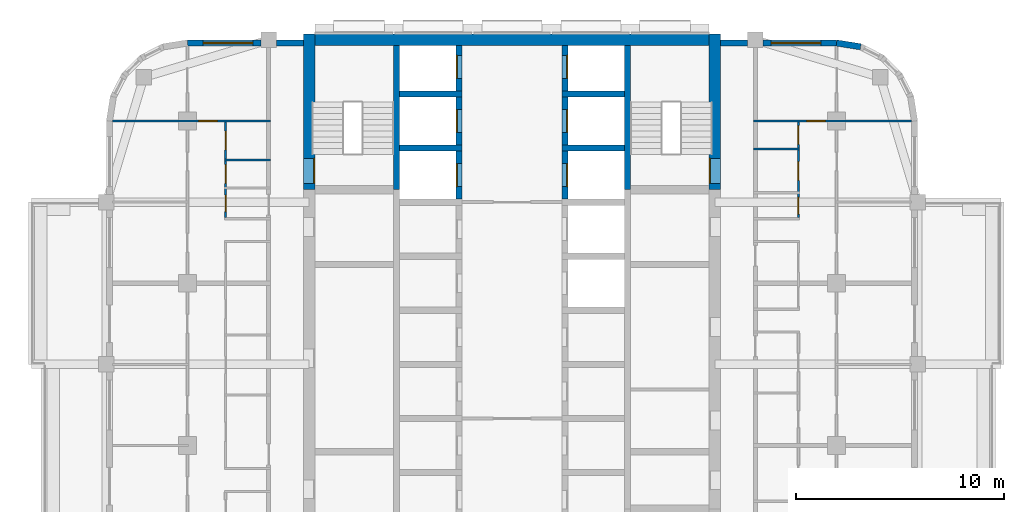
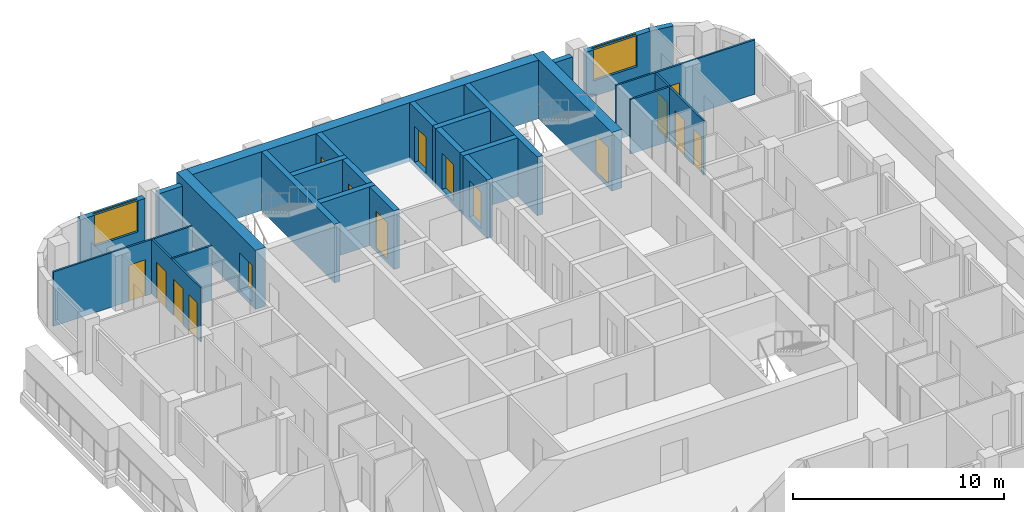
# One storey, part 8 of 13: 26 walls, 16 doors, 2 windows, 18 openings.
"""IFC4 building model written with IfcOpenShell, lengths in metres."""

import ifcopenshell
import ifcopenshell.guid

model = None  # the IFC model being written
_history = None  # IfcOwnerHistory: only IFC2X3 demands one
_inside = {}  # id of a spatial element -> (the spatial element, [elements in it])
_under = {}  # id of a project, library or spatial element -> (it, [spatial elements below it])
_declared = {}  # id of a project -> (the project, [libraries it declares])
_typed = {}  # id of a type object -> (the type object, [elements of that type])
_made_of = {}  # id of a material, layer set ... -> (it, [elements and type objects made of it])


def new_model(schema):
    """Start an empty IFC model of exactly this schema.

    Asked for "IFC4X3", IfcOpenShell would pick the latest addendum, in which some entities
    have other attributes; the version numbers below select the first issue.
    IFC2X3 requires an IfcOwnerHistory on every rooted entity: one is made here for all.
    """
    global model, _history
    if schema == "IFC4X3":
        model = ifcopenshell.file(schema_version=(4, 3, 0, 0))
    else:
        model = ifcopenshell.file(schema=schema)
    _inside.clear()
    _under.clear()
    _declared.clear()
    _typed.clear()
    _made_of.clear()
    _history = None
    if model.schema == "IFC2X3":
        org = make("IfcOrganization", Name="unknown")
        user = make(
            "IfcPersonAndOrganization",
            ThePerson=make("IfcPerson", FamilyName="unknown"),
            TheOrganization=org,
        )
        app = make(
            "IfcApplication",
            ApplicationDeveloper=org,
            Version="unknown",
            ApplicationFullName="unknown",
            ApplicationIdentifier="unknown",
        )
        _history = make(
            "IfcOwnerHistory",
            OwningUser=user,
            OwningApplication=app,
            ChangeAction="ADDED",
            CreationDate=0,
        )
    return model


def make(cls, **values):
    """One entity of the class cls with the attributes given. An attribute that is None is left unset."""
    return model.create_entity(
        cls, **{name: value for name, value in values.items() if value is not None}
    )


def rooted(cls, **values):
    """An entity with a GlobalId (a new one), such as an element, a storey or a relation."""
    return make(cls, GlobalId=ifcopenshell.guid.new(), OwnerHistory=_history, **values)


def si_unit(unit_type, name, prefix=None):
    """IfcSIUnit, for example si_unit("LENGTHUNIT", "METRE", prefix="MILLI")."""
    return make("IfcSIUnit", UnitType=unit_type, Prefix=prefix, Name=name)


def assignment(units):
    """IfcUnitAssignment: the units of a project."""
    return None if units is None else make("IfcUnitAssignment", Units=units)


def point(xyz):
    """IfcCartesianPoint."""
    return None if xyz is None else make("IfcCartesianPoint", Coordinates=xyz)


def direction(xyz):
    """IfcDirection."""
    return None if xyz is None else make("IfcDirection", DirectionRatios=xyz)


def frame(location, z_axis=None, x_axis=None):
    """IfcAxis2Placement3D, a coordinate frame: its origin and axes. An axis left out is left unset."""
    return make(
        "IfcAxis2Placement3D",
        Location=point(location),
        Axis=direction(z_axis),
        RefDirection=direction(x_axis),
    )


def frame_2d(location, x_axis=None):
    """IfcAxis2Placement2D, a coordinate frame in the plane: its origin and x axis."""
    return make(
        "IfcAxis2Placement2D", Location=point(location), RefDirection=direction(x_axis)
    )


def origin():
    """The frame at (0, 0, 0) with its axes left unset."""
    return frame((0.0, 0.0, 0.0))


def place(relative_to, where):
    """IfcLocalPlacement: puts the frame where relative to a parent placement (None: the world)."""
    return make(
        "IfcLocalPlacement", PlacementRelTo=relative_to, RelativePlacement=where
    )


def context(
    kind, dimensions, precision=None, world=None, true_north=None, identifier=None
):
    """IfcGeometricRepresentationContext, for example the 3D "Model" context."""
    return make(
        "IfcGeometricRepresentationContext",
        ContextIdentifier=identifier,
        ContextType=kind,
        CoordinateSpaceDimension=dimensions,
        Precision=precision,
        WorldCoordinateSystem=world,
        TrueNorth=true_north,
    )


def subcontext(parent, identifier, kind, view, scale=None):
    """IfcGeometricRepresentationSubContext, for example "Body" below "Model"."""
    return make(
        "IfcGeometricRepresentationSubContext",
        ContextIdentifier=identifier,
        ContextType=kind,
        ParentContext=parent,
        TargetScale=scale,
        TargetView=view,
    )


def project(units=None, contexts=None):
    """IfcProject with its units and contexts."""
    return rooted(
        "IfcProject",
        Name="project",
        RepresentationContexts=contexts,
        UnitsInContext=assignment(units),
    )


def spatial(cls, under=None, at=None, **own):
    """A site, building, storey or space (cls), placed at a placement, below another one or the project."""
    s = rooted(cls, ObjectPlacement=at, **own)
    if under is not None:
        _under.setdefault(under.id(), (under, []))[1].append(s)
    return s


def profile(cls, at=None, kind="AREA", **sizes):
    """A parametric profile (cls). Its sizes go by their IFC names, for example OverallWidth=200.0."""
    return make(cls, ProfileType=kind, Position=at, **sizes)


def rectangle(**sizes):
    """IfcRectangleProfileDef."""
    return profile("IfcRectangleProfileDef", **sizes)


def extrude(swept, where, along, depth):
    """IfcExtrudedAreaSolid: the profile swept, set in the frame where, extruded along a direction by depth."""
    return make(
        "IfcExtrudedAreaSolid",
        SweptArea=swept,
        Position=where,
        ExtrudedDirection=direction(along),
        Depth=depth,
    )


def shape(context_of_items, identifier, shape_type, items):
    """IfcShapeRepresentation: the items that make up one representation, for example the "Body"."""
    return make(
        "IfcShapeRepresentation",
        ContextOfItems=context_of_items,
        RepresentationIdentifier=identifier,
        RepresentationType=shape_type,
        Items=items,
    )


def material(Name=None, Category=None):
    """IfcMaterial."""
    return make("IfcMaterial", Name=Name, Category=Category)


def layer(
    of_material, thickness, ventilated=None, Name=None, Category=None, Priority=None
):
    """IfcMaterialLayer: one layer of a wall or slab, of a material (None: an air gap)."""
    return make(
        "IfcMaterialLayer",
        Material=of_material,
        LayerThickness=thickness,
        IsVentilated=ventilated,
        Name=Name,
        Category=Category,
        Priority=Priority,
    )


def layer_set(layers, Name=None):
    """IfcMaterialLayerSet."""
    return make("IfcMaterialLayerSet", MaterialLayers=layers, LayerSetName=Name)


def made_of(thing, what):
    """Note that an element or type object is made of a material, layer set ...; save() writes the relation."""
    if what is not None:
        _made_of.setdefault(what.id(), (what, []))[1].append(thing)
    return thing


def type_object(cls, material=None, **own):
    """A type object (cls), such as IfcWallType, which elements share."""
    return made_of(rooted(cls, **own), material)


def element(
    cls,
    number,
    at=None,
    inside=None,
    cuts=None,
    type_object=None,
    material=None,
    context=None,
    identifier="Body",
    shape_type=None,
    held_by="IfcProductDefinitionShape",
    body=None,
    shapes=None,
    **own,
):
    """One element of the class cls, such as IfcWall. Its Tag is "e" and its number.

    at: its placement. inside: the storey or other place that contains it. cuts: it is an
    opening in that element (IfcRelVoidsElement). A single representation is given by context,
    identifier, shape_type and body (its items); several are given by shapes. held_by: the class
    of the entity that holds the representations. save() writes the other relations.
    """
    e = rooted(cls, Tag="e%d" % number, ObjectPlacement=at, **own)
    if body is not None:
        shapes = [shape(context, identifier, shape_type, body)]
    if shapes is not None:
        e.Representation = make(held_by, Representations=shapes)
    if inside is not None:
        _inside.setdefault(inside.id(), (inside, []))[1].append(e)
    if cuts is not None:
        rooted(
            "IfcRelVoidsElement", RelatingBuildingElement=cuts, RelatedOpeningElement=e
        )
    if type_object is not None:
        _typed.setdefault(type_object.id(), (type_object, []))[1].append(e)
    return made_of(e, material)


def fill(opening, filler):
    """IfcRelFillsElement: the door or window that sits in an opening."""
    return rooted(
        "IfcRelFillsElement",
        RelatingOpeningElement=opening,
        RelatedBuildingElement=filler,
    )


def aggregate(whole, parts):
    """IfcRelAggregates: a whole, such as a stair, and the parts it consists of."""
    return rooted("IfcRelAggregates", RelatingObject=whole, RelatedObjects=parts)


def save(model, path):
    """Write the relations noted so far, then the file.

    IfcRelAggregates (storeys below a building ...), IfcRelContainedInSpatialStructure (elements
    in a storey), IfcRelDefinesByType, IfcRelAssociatesMaterial and IfcRelDeclares: one each for
    every whole, place, type object, material and project.
    """
    for whole, parts in _under.values():
        aggregate(whole, parts)
    for where, things in _inside.values():
        rooted(
            "IfcRelContainedInSpatialStructure",
            RelatedElements=things,
            RelatingStructure=where,
        )
    for kind, things in _typed.values():
        rooted("IfcRelDefinesByType", RelatedObjects=things, RelatingType=kind)
    for what, things in _made_of.values():
        rooted("IfcRelAssociatesMaterial", RelatedObjects=things, RelatingMaterial=what)
    for by, libraries in _declared.values():
        rooted("IfcRelDeclares", RelatingContext=by, RelatedDefinitions=libraries)
    model.write(path)


model = new_model("IFC4")

# Units and contexts
model_context = context("Model", 3, precision=1e-05, world=origin(), true_north=direction((0.0, 1.0)))
body_context = subcontext(model_context, "Body", "Model", "MODEL_VIEW")
ifc_project = project(units=[si_unit("LENGTHUNIT", "METRE"), si_unit("AREAUNIT", "SQUARE_METRE"), si_unit("VOLUMEUNIT", "CUBIC_METRE"), si_unit("PLANEANGLEUNIT", "RADIAN"), si_unit("MASSUNIT", "GRAM", prefix="KILO")], contexts=[model_context])

# Site, building, storey
site_placement = place(None, origin())
site = spatial("IfcSite", under=ifc_project, at=site_placement, CompositionType="ELEMENT")
building_placement = place(site_placement, origin())
building = spatial("IfcBuilding", under=site, at=building_placement, Name="Ludao Terraces", CompositionType="ELEMENT")
storey_placement = place(building_placement, frame((0.0, 0.0, 152.0)))
storey = spatial("IfcBuildingStorey", under=building, at=storey_placement, Name="L41", CompositionType="ELEMENT", Elevation=152.0)

# Wall, opening, door
ifc_material_1 = material(Name="Concrete C60", Category="concrete")
ifc_layer_1 = layer(ifc_material_1, 0.550048828125)
ifc_layer_set_1 = layer_set([ifc_layer_1], Name="Core wall 550 C60")
wall_type_1 = type_object("IfcWallType", Name="Core wall 550 C60", PredefinedType="SOLIDWALL", material=ifc_layer_set_1)
wall_1_placement = place(storey_placement, frame((75.25, 77.300048828125, -0.25), z_axis=(0.0, 0.0, 1.0), x_axis=(0.0, 1.0, 0.0)))
wall_1 = element("IfcWall", 1, at=wall_1_placement, inside=storey, type_object=wall_type_1, Name="Core wall L41 outer-W-S1", PredefinedType="SOLIDWALL", context=body_context, shape_type="SweptSolid", body=[
    extrude(rectangle(XDim=7.474853515625, YDim=0.550048828125, at=frame_2d((3.7373046875, 0.0))), origin(), (0.0, 0.0, 1.0), 3.39990234375),
])
opening_1_placement = place(wall_1_placement, frame((0.300048828125, 0.0, 0.25)))
opening_1 = element("IfcOpeningElement", 2, at=opening_1_placement, cuts=wall_1, Name="Opening R14-078", PredefinedType="OPENING", context=body_context, shape_type="SweptSolid", body=[
    extrude(rectangle(XDim=1.199951171875, YDim=2.10009765625, at=frame_2d((0.60009765625, 1.050048828125))), frame((0.0, 0.28515625, 0.0), z_axis=(0.0, -1.0, 0.0), x_axis=(1.0, 0.0, 0.0)), (0.0, 0.0, 1.0), 0.570068359375),
])
ifc_material_2 = material(Name="Steel Q235", Category="steel")
door_type_1 = type_object("IfcDoorType", Name="INT Stair door 1200", OperationType="DOUBLE_DOOR_SINGLE_SWING", PredefinedType="DOOR", material=ifc_material_2)
door_1_placement = place(opening_1_placement, origin())
door_1 = element("IfcDoor", 3, at=door_1_placement, inside=storey, type_object=door_type_1, Name="DOOR 078", OperationType="DOUBLE_DOOR_SINGLE_SWING", OverallHeight=2.10009765625, OverallWidth=1.199951171875, PredefinedType="DOOR", context=body_context, shape_type="SweptSolid", body=[
    extrude(rectangle(XDim=1.199951171875, YDim=2.10009765625, at=frame_2d((0.60009765625, 1.050048828125))), frame((0.0, -0.2099609375, 0.0), z_axis=(0.0, -1.0, 0.0), x_axis=(1.0, 0.0, 0.0)), (0.0, 0.0, 1.0), 0.050048828125),
])
fill(opening_1, door_1)

wall_2_placement = place(storey_placement, frame((94.75, 77.300048828125, -0.25), z_axis=(0.0, 0.0, 1.0), x_axis=(0.0, 1.0, 0.0)))
wall_2 = element("IfcWall", 4, at=wall_2_placement, inside=storey, type_object=wall_type_1, Name="Core wall L41 outer-E-S2", PredefinedType="SOLIDWALL", context=body_context, shape_type="SweptSolid", body=[
    extrude(rectangle(XDim=7.474853515625, YDim=0.550048828125, at=frame_2d((3.7373046875, 0.0))), origin(), (0.0, 0.0, 1.0), 3.39990234375),
])
opening_2_placement = place(wall_2_placement, frame((0.300048828125, 0.0, 0.25)))
opening_2 = element("IfcOpeningElement", 5, at=opening_2_placement, cuts=wall_2, Name="Opening R14-079", PredefinedType="OPENING", context=body_context, shape_type="SweptSolid", body=[
    extrude(rectangle(XDim=1.199951171875, YDim=2.10009765625, at=frame_2d((0.60009765625, 1.050048828125))), frame((0.0, 0.28515625, 0.0), z_axis=(0.0, -1.0, 0.0), x_axis=(1.0, 0.0, 0.0)), (0.0, 0.0, 1.0), 0.570068359375),
])
door_2_placement = place(opening_2_placement, origin())
door_2 = element("IfcDoor", 6, at=door_2_placement, inside=storey, type_object=door_type_1, Name="DOOR 079", OperationType="DOUBLE_DOOR_SINGLE_SWING", OverallHeight=2.10009765625, OverallWidth=1.199951171875, PredefinedType="DOOR", context=body_context, shape_type="SweptSolid", body=[
    extrude(rectangle(XDim=1.199951171875, YDim=2.10009765625, at=frame_2d((0.60009765625, 1.050048828125))), frame((0.0, 0.26025390625, 0.0), z_axis=(0.0, -1.0, 0.0), x_axis=(1.0, 0.0, 0.0)), (0.0, 0.0, 1.0), 0.050048828125),
])
fill(opening_2, door_2)

# Wall
wall_3_placement = place(storey_placement, frame((75.52490234375, 84.5, -0.25), z_axis=(0.0, 0.0, 1.0), x_axis=(1.0, 0.0, 0.0)))
element("IfcWall", 7, at=wall_3_placement, inside=storey, type_object=wall_type_1, Name="Core wall L41 outer-N", PredefinedType="SOLIDWALL", context=body_context, shape_type="SweptSolid", body=[
    extrude(rectangle(XDim=18.9501953125, YDim=0.550048828125, at=frame_2d((9.47509765625, 0.0))), origin(), (0.0, 0.0, 1.0), 3.39990234375),
])

# Wall, opening, window
ifc_material_3 = material(Name="Granite cladding", Category="masonry")
ifc_layer_2 = layer(ifc_material_3, 0.0400390625, Category="stone")
ifc_material_4 = material(Name="Mineral wool")
ifc_layer_3 = layer(ifc_material_4, 0.06005859375)
ifc_material_5 = material(Name="Concrete C40", Category="concrete")
ifc_layer_4 = layer(ifc_material_5, 0.199951171875, Category="concrete")
ifc_layer_set_2 = layer_set([ifc_layer_2, ifc_layer_3, ifc_layer_4], Name="ENV Stone-clad wall 300")
wall_type_2 = type_object("IfcWallType", Name="ENV Stone-clad wall 300", PredefinedType="SOLIDWALL", material=ifc_layer_set_2)
wall_4_placement = place(storey_placement, frame((69.39990234375, 84.35009765625, 0.0), z_axis=(0.0, 0.0, 1.0), x_axis=(1.0, 0.0, 0.0)))
wall_4 = element("IfcWall", 8, at=wall_4_placement, inside=storey, type_object=wall_type_2, Name="EW-L41-N1", PredefinedType="SOLIDWALL", context=body_context, shape_type="SweptSolid", body=[
    extrude(rectangle(XDim=3.525146484375, YDim=0.300048828125, at=frame_2d((1.7626953125, 0.0))), origin(), (0.0, 0.0, 1.0), 2.699951171875),
])
opening_3_placement = place(wall_4_placement, frame((0.75, 0.0, 0.89990234375)))
opening_3 = element("IfcOpeningElement", 9, at=opening_3_placement, cuts=wall_4, Name="Opening W1", PredefinedType="OPENING", context=body_context, shape_type="SweptSolid", body=[
    extrude(rectangle(XDim=2.39990234375, YDim=1.800048828125, at=frame_2d((1.199951171875, 0.89990234375))), frame((0.0, 0.16015625, 0.0), z_axis=(0.0, -1.0, 0.0), x_axis=(1.0, 0.0, 0.0)), (0.0, 0.0, 1.0), 0.320068359375),
])
ifc_material_6 = material(Name="Clear glass in aluminium frame", Category="aluminium")
ifc_layer_5 = layer(ifc_material_6, 0.06005859375)
ifc_layer_set_3 = layer_set([ifc_layer_5], Name="ENV Window W1 2400x1800")
window_type = type_object("IfcWindowType", Name="ENV Window W1 2400x1800", PartitioningType="DOUBLE_PANEL_VERTICAL", PredefinedType="WINDOW", material=ifc_layer_set_3)
window_1_placement = place(opening_3_placement, origin())
window_1 = element("IfcWindow", 10, at=window_1_placement, inside=storey, type_object=window_type, Name="W-L41-N1-1", OverallHeight=1.800048828125, OverallWidth=2.39990234375, PartitioningType="DOUBLE_PANEL_VERTICAL", PredefinedType="WINDOW", context=body_context, shape_type="SweptSolid", body=[
    extrude(rectangle(XDim=2.39990234375, YDim=1.800048828125, at=frame_2d((1.199951171875, 0.89990234375))), frame((0.0, 0.030029296875, 0.0), z_axis=(0.0, -1.0, 0.0), x_axis=(1.0, 0.0, 0.0)), (0.0, 0.0, 1.0), 0.06005859375),
])
fill(opening_3, window_1)

# Walls
for number, where, z_axis, x_axis, name in (
    (11, (73.675048828125, 84.35009765625, 0.0), (0.0, 0.0, 1.0), (1.0, 0.0, 0.0), "EW-L41-N2"),
    (12, (95.02490234375, 84.35009765625, 0.0), (0.0, 0.0, 1.0), (1.0, 0.0, 0.0), "EW-L41-N3"),
):
    element("IfcWall", number, at=place(storey_placement, frame(where, z_axis=z_axis, x_axis=x_axis)), inside=storey, type_object=wall_type_2, Name=name, PredefinedType="SOLIDWALL", context=body_context, shape_type="SweptSolid", body=[
        extrude(rectangle(XDim=1.300048828125, YDim=0.300048828125, at=frame_2d((0.64990234375, 0.0))), origin(), (0.0, 0.0, 1.0), 2.699951171875),
    ])

# Wall, opening, window
wall_5_placement = place(storey_placement, frame((97.074951171875, 84.35009765625, 0.0), z_axis=(0.0, 0.0, 1.0), x_axis=(1.0, 0.0, 0.0)))
wall_5 = element("IfcWall", 13, at=wall_5_placement, inside=storey, type_object=wall_type_2, Name="EW-L41-N4", PredefinedType="SOLIDWALL", context=body_context, shape_type="SweptSolid", body=[
    extrude(rectangle(XDim=3.525146484375, YDim=0.300048828125, at=frame_2d((1.7626953125, 0.0))), origin(), (0.0, 0.0, 1.0), 2.699951171875),
])
opening_4_placement = place(wall_5_placement, frame((0.375, 0.0, 0.89990234375)))
opening_4 = element("IfcOpeningElement", 14, at=opening_4_placement, cuts=wall_5, Name="Opening W1", PredefinedType="OPENING", context=body_context, shape_type="SweptSolid", body=[
    extrude(rectangle(XDim=2.39990234375, YDim=1.800048828125, at=frame_2d((1.199951171875, 0.89990234375))), frame((0.0, 0.16015625, 0.0), z_axis=(0.0, -1.0, 0.0), x_axis=(1.0, 0.0, 0.0)), (0.0, 0.0, 1.0), 0.320068359375),
])
window_2_placement = place(opening_4_placement, origin())
window_2 = element("IfcWindow", 15, at=window_2_placement, inside=storey, type_object=window_type, Name="W-L41-N4-1", OverallHeight=1.800048828125, OverallWidth=2.39990234375, PartitioningType="DOUBLE_PANEL_VERTICAL", PredefinedType="WINDOW", context=body_context, shape_type="SweptSolid", body=[
    extrude(rectangle(XDim=2.39990234375, YDim=1.800048828125, at=frame_2d((1.199951171875, 0.89990234375))), frame((0.0, 0.030029296875, 0.0), z_axis=(0.0, -1.0, 0.0), x_axis=(1.0, 0.0, 0.0)), (0.0, 0.0, 1.0), 0.06005859375),
])
fill(opening_4, window_2)

# Walls
wall_6_placement = place(storey_placement, frame((101.7587890625, 84.16650390625, 0.0), z_axis=(0.0, 0.0, 1.0), x_axis=(-0.987678452879, 0.156496880861, 0.0)))
element("IfcWall", 16, at=wall_6_placement, inside=storey, type_object=wall_type_2, Name="EW-L41-NE5", PredefinedType="SOLIDWALL", context=body_context, shape_type="SweptSolid", body=[
    extrude(rectangle(XDim=1.173095703125, YDim=0.300048828125, at=frame_2d((0.58642578125, 0.0))), origin(), (0.0, 0.0, 1.0), 2.699951171875),
])
ifc_material_7 = material(Name="Gypsum plasterboard", Category="gypsum")
ifc_layer_6 = layer(ifc_material_7, 0.012451171875, Category="gypsum")
ifc_layer_7 = layer(ifc_material_4, 0.06005859375, Name="insulation")
ifc_layer_8 = layer(ifc_material_2, 0.014892578125, Name="stud")
ifc_layer_9 = layer(ifc_material_7, 0.012451171875, Category="gypsum")
ifc_layer_set_4 = layer_set([ifc_layer_6, ifc_layer_7, ifc_layer_8, ifc_layer_9], Name="INT Partition 100")
wall_type_3 = type_object("IfcWallType", Name="INT Partition 100", PredefinedType="PARTITIONING", material=ifc_layer_set_4)
for number, where, z_axis, x_axis, name in (
    (17, (71.18017578125, 78.72998046875, 0.0), (0.0, 0.0, 1.0), (1.0, 0.0, 0.0), "PW-L41-PW044"),
    (18, (96.60009765625, 79.25, 0.0), (0.0, 0.0, 1.0), (1.0, 0.0, 0.0), "PW-L41-PW045"),
):
    element("IfcWall", number, at=place(storey_placement, frame(where, z_axis=z_axis, x_axis=x_axis)), inside=storey, type_object=wall_type_3, Name=name, PredefinedType="PARTITIONING", context=body_context, shape_type="SweptSolid", body=[
        extrude(rectangle(XDim=2.219970703125, YDim=0.10009765625, at=frame_2d((1.10986328125, 0.0))), origin(), (0.0, 0.0, 1.0), 3.14990234375),
    ])

# Wall, opening, door
wall_7_placement = place(storey_placement, frame((65.800048828125, 80.60009765625, 0.0), z_axis=(0.0, 0.0, 1.0), x_axis=(1.0, 0.0, 0.0)))
wall_7 = element("IfcWall", 19, at=wall_7_placement, inside=storey, type_object=wall_type_3, Name="PW-L41-PW046", PredefinedType="PARTITIONING", context=body_context, shape_type="SweptSolid", body=[
    extrude(rectangle(XDim=7.60009765625, YDim=0.10009765625, at=frame_2d((3.800048828125, 0.0))), origin(), (0.0, 0.0, 1.0), 3.14990234375),
])
opening_5_placement = place(wall_7_placement, frame((4.139892578125, 0.0, 0.0)))
opening_5 = element("IfcOpeningElement", 20, at=opening_5_placement, cuts=wall_7, Name="Opening R14-085", PredefinedType="OPENING", context=body_context, shape_type="SweptSolid", body=[
    extrude(rectangle(XDim=0.89990234375, YDim=2.10009765625, at=frame_2d((0.449951171875, 1.050048828125))), frame((0.0, 0.06005859375, 0.0), z_axis=(0.0, -1.0, 0.0), x_axis=(1.0, 0.0, 0.0)), (0.0, 0.0, 1.0), 0.1201171875),
])
ifc_material_8 = material(Name="Timber door leaf", Category="wood")
door_type_2 = type_object("IfcDoorType", Name="INT Room door 900", OperationType="SINGLE_SWING_LEFT", PredefinedType="DOOR", material=ifc_material_8)
door_3_placement = place(opening_5_placement, origin())
door_3 = element("IfcDoor", 21, at=door_3_placement, inside=storey, type_object=door_type_2, Name="DOOR 085", OperationType="SINGLE_SWING_LEFT", OverallHeight=2.10009765625, OverallWidth=0.89990234375, PredefinedType="DOOR", context=body_context, shape_type="SweptSolid", body=[
    extrude(rectangle(XDim=0.89990234375, YDim=2.10009765625, at=frame_2d((0.449951171875, 1.050048828125))), frame((0.0, 0.02490234375, 0.0), z_axis=(0.0, -1.0, 0.0), x_axis=(1.0, 0.0, 0.0)), (0.0, 0.0, 1.0), 0.050048828125),
])
fill(opening_5, door_3)

wall_8_placement = place(storey_placement, frame((96.60009765625, 80.60009765625, 0.0), z_axis=(0.0, 0.0, 1.0), x_axis=(1.0, 0.0, 0.0)))
wall_8 = element("IfcWall", 22, at=wall_8_placement, inside=storey, type_object=wall_type_3, Name="PW-L41-PW047", PredefinedType="PARTITIONING", context=body_context, shape_type="SweptSolid", body=[
    extrude(rectangle(XDim=7.60009765625, YDim=0.10009765625, at=frame_2d((3.800048828125, 0.0))), origin(), (0.0, 0.0, 1.0), 3.14990234375),
])
opening_6_placement = place(wall_8_placement, frame((2.56005859375, 0.0, 0.0)))
opening_6 = element("IfcOpeningElement", 23, at=opening_6_placement, cuts=wall_8, Name="Opening R14-088", PredefinedType="OPENING", context=body_context, shape_type="SweptSolid", body=[
    extrude(rectangle(XDim=0.89990234375, YDim=2.10009765625, at=frame_2d((0.449951171875, 1.050048828125))), frame((0.0, 0.06005859375, 0.0), z_axis=(0.0, -1.0, 0.0), x_axis=(1.0, 0.0, 0.0)), (0.0, 0.0, 1.0), 0.1201171875),
])
door_4_placement = place(opening_6_placement, origin())
door_4 = element("IfcDoor", 24, at=door_4_placement, inside=storey, type_object=door_type_2, Name="DOOR 088", OperationType="SINGLE_SWING_RIGHT", OverallHeight=2.10009765625, OverallWidth=0.89990234375, PredefinedType="DOOR", context=body_context, shape_type="SweptSolid", body=[
    extrude(rectangle(XDim=0.89990234375, YDim=2.10009765625, at=frame_2d((0.449951171875, 1.050048828125))), frame((0.0, 0.02490234375, 0.0), z_axis=(0.0, -1.0, 0.0), x_axis=(1.0, 0.0, 0.0)), (0.0, 0.0, 1.0), 0.050048828125),
])
fill(opening_6, door_4)

# Wall, openings, doors
wall_9_placement = place(storey_placement, frame((71.22998046875, 75.9501953125, 0.0), z_axis=(0.0, 0.0, 1.0), x_axis=(0.0, 1.0, 0.0)))
wall_9 = element("IfcWall", 25, at=wall_9_placement, inside=storey, type_object=wall_type_3, Name="PW-L41-PW052", PredefinedType="PARTITIONING", context=body_context, shape_type="SweptSolid", body=[
    extrude(rectangle(XDim=4.599853515625, YDim=0.10009765625, at=frame_2d((2.2998046875, 0.0))), origin(), (0.0, 0.0, 1.0), 3.14990234375),
])
opening_7_placement = place(wall_9_placement, frame((0.289794921875, 0.0, 0.0)))
opening_7 = element("IfcOpeningElement", 26, at=opening_7_placement, cuts=wall_9, Name="Opening R14-073", PredefinedType="OPENING", context=body_context, shape_type="SweptSolid", body=[
    extrude(rectangle(XDim=0.800048828125, YDim=2.10009765625, at=frame_2d((0.39990234375, 1.050048828125))), frame((0.0, 0.06005859375, 0.0), z_axis=(0.0, -1.0, 0.0), x_axis=(1.0, 0.0, 0.0)), (0.0, 0.0, 1.0), 0.1201171875),
])
opening_8_placement = place(wall_9_placement, frame((1.65478515625, 0.0, 0.0)))
opening_8 = element("IfcOpeningElement", 27, at=opening_8_placement, cuts=wall_9, Name="Opening R14-077", PredefinedType="OPENING", context=body_context, shape_type="SweptSolid", body=[
    extrude(rectangle(XDim=0.89990234375, YDim=2.10009765625, at=frame_2d((0.449951171875, 1.050048828125))), frame((0.0, 0.06005859375, 0.0), z_axis=(0.0, -1.0, 0.0), x_axis=(1.0, 0.0, 0.0)), (0.0, 0.0, 1.0), 0.1201171875),
])
opening_9_placement = place(wall_9_placement, frame((3.264892578125, 0.0, 0.0)))
opening_9 = element("IfcOpeningElement", 28, at=opening_9_placement, cuts=wall_9, Name="Opening R14-083", PredefinedType="OPENING", context=body_context, shape_type="SweptSolid", body=[
    extrude(rectangle(XDim=0.89990234375, YDim=2.10009765625, at=frame_2d((0.449951171875, 1.050048828125))), frame((0.0, 0.06005859375, 0.0), z_axis=(0.0, -1.0, 0.0), x_axis=(1.0, 0.0, 0.0)), (0.0, 0.0, 1.0), 0.1201171875),
])
door_type_3 = type_object("IfcDoorType", Name="INT Bathroom door 900", OperationType="SINGLE_SWING_LEFT", PredefinedType="DOOR", material=ifc_material_8)
door_5_placement = place(opening_8_placement, origin())
door_5 = element("IfcDoor", 29, at=door_5_placement, inside=storey, type_object=door_type_3, Name="DOOR 077", OperationType="SINGLE_SWING_RIGHT", OverallHeight=2.10009765625, OverallWidth=0.89990234375, PredefinedType="DOOR", context=body_context, shape_type="SweptSolid", body=[
    extrude(rectangle(XDim=0.89990234375, YDim=2.10009765625, at=frame_2d((0.449951171875, 1.050048828125))), frame((0.0, 0.02490234375, 0.0), z_axis=(0.0, -1.0, 0.0), x_axis=(1.0, 0.0, 0.0)), (0.0, 0.0, 1.0), 0.050048828125),
])
fill(opening_8, door_5)
door_6_placement = place(opening_9_placement, origin())
door_6 = element("IfcDoor", 30, at=door_6_placement, inside=storey, type_object=door_type_2, Name="DOOR 083", OperationType="SINGLE_SWING_LEFT", OverallHeight=2.10009765625, OverallWidth=0.89990234375, PredefinedType="DOOR", context=body_context, shape_type="SweptSolid", body=[
    extrude(rectangle(XDim=0.89990234375, YDim=2.10009765625, at=frame_2d((0.449951171875, 1.050048828125))), frame((0.0, 0.02490234375, 0.0), z_axis=(0.0, -1.0, 0.0), x_axis=(1.0, 0.0, 0.0)), (0.0, 0.0, 1.0), 0.050048828125),
])
fill(opening_9, door_6)
door_type_4 = type_object("IfcDoorType", Name="INT Store door 800", OperationType="SINGLE_SWING_LEFT", PredefinedType="DOOR", material=ifc_material_8)
door_7_placement = place(opening_7_placement, origin())
door_7 = element("IfcDoor", 31, at=door_7_placement, inside=storey, type_object=door_type_4, Name="DOOR 073", OperationType="SINGLE_SWING_RIGHT", OverallHeight=2.10009765625, OverallWidth=0.800048828125, PredefinedType="DOOR", context=body_context, shape_type="SweptSolid", body=[
    extrude(rectangle(XDim=0.800048828125, YDim=2.10009765625, at=frame_2d((0.39990234375, 1.050048828125))), frame((0.0, 0.02490234375, 0.0), z_axis=(0.0, -1.0, 0.0), x_axis=(1.0, 0.0, 0.0)), (0.0, 0.0, 1.0), 0.050048828125),
])
fill(opening_7, door_7)

wall_10_placement = place(storey_placement, frame((98.77001953125, 75.9501953125, 0.0), z_axis=(0.0, 0.0, 1.0), x_axis=(0.0, 1.0, 0.0)))
wall_10 = element("IfcWall", 32, at=wall_10_placement, inside=storey, type_object=wall_type_3, Name="PW-L41-PW063", PredefinedType="PARTITIONING", context=body_context, shape_type="SweptSolid", body=[
    extrude(rectangle(XDim=4.599853515625, YDim=0.10009765625, at=frame_2d((2.2998046875, 0.0))), origin(), (0.0, 0.0, 1.0), 3.14990234375),
])
opening_10_placement = place(wall_10_placement, frame((0.1748046875, 0.0, 0.0)))
opening_10 = element("IfcOpeningElement", 33, at=opening_10_placement, cuts=wall_10, Name="Opening R14-071", PredefinedType="OPENING", context=body_context, shape_type="SweptSolid", body=[
    extrude(rectangle(XDim=0.800048828125, YDim=2.10009765625, at=frame_2d((0.39990234375, 1.050048828125))), frame((0.0, 0.06005859375, 0.0), z_axis=(0.0, -1.0, 0.0), x_axis=(1.0, 0.0, 0.0)), (0.0, 0.0, 1.0), 0.1201171875),
])
opening_11_placement = place(wall_10_placement, frame((1.7998046875, 0.0, 0.0)))
opening_11 = element("IfcOpeningElement", 34, at=opening_11_placement, cuts=wall_10, Name="Opening R14-080", PredefinedType="OPENING", context=body_context, shape_type="SweptSolid", body=[
    extrude(rectangle(XDim=0.89990234375, YDim=2.10009765625, at=frame_2d((0.449951171875, 1.050048828125))), frame((0.0, 0.06005859375, 0.0), z_axis=(0.0, -1.0, 0.0), x_axis=(1.0, 0.0, 0.0)), (0.0, 0.0, 1.0), 0.1201171875),
])
opening_12_placement = place(wall_10_placement, frame((3.52490234375, 0.0, 0.0)))
opening_12 = element("IfcOpeningElement", 35, at=opening_12_placement, cuts=wall_10, Name="Opening R14-084", PredefinedType="OPENING", context=body_context, shape_type="SweptSolid", body=[
    extrude(rectangle(XDim=0.89990234375, YDim=2.10009765625, at=frame_2d((0.449951171875, 1.050048828125))), frame((0.0, 0.06005859375, 0.0), z_axis=(0.0, -1.0, 0.0), x_axis=(1.0, 0.0, 0.0)), (0.0, 0.0, 1.0), 0.1201171875),
])
door_8_placement = place(opening_12_placement, origin())
door_8 = element("IfcDoor", 36, at=door_8_placement, inside=storey, type_object=door_type_3, Name="DOOR 084", OperationType="SINGLE_SWING_RIGHT", OverallHeight=2.10009765625, OverallWidth=0.89990234375, PredefinedType="DOOR", context=body_context, shape_type="SweptSolid", body=[
    extrude(rectangle(XDim=0.89990234375, YDim=2.10009765625, at=frame_2d((0.449951171875, 1.050048828125))), frame((0.0, 0.02490234375, 0.0), z_axis=(0.0, -1.0, 0.0), x_axis=(1.0, 0.0, 0.0)), (0.0, 0.0, 1.0), 0.050048828125),
])
fill(opening_12, door_8)
door_9_placement = place(opening_11_placement, origin())
door_9 = element("IfcDoor", 37, at=door_9_placement, inside=storey, type_object=door_type_2, Name="DOOR 080", OperationType="SINGLE_SWING_LEFT", OverallHeight=2.10009765625, OverallWidth=0.89990234375, PredefinedType="DOOR", context=body_context, shape_type="SweptSolid", body=[
    extrude(rectangle(XDim=0.89990234375, YDim=2.10009765625, at=frame_2d((0.449951171875, 1.050048828125))), frame((0.0, 0.02490234375, 0.0), z_axis=(0.0, -1.0, 0.0), x_axis=(1.0, 0.0, 0.0)), (0.0, 0.0, 1.0), 0.050048828125),
])
fill(opening_11, door_9)
door_10_placement = place(opening_10_placement, origin())
door_10 = element("IfcDoor", 38, at=door_10_placement, inside=storey, type_object=door_type_4, Name="DOOR 071", OperationType="SINGLE_SWING_LEFT", OverallHeight=2.10009765625, OverallWidth=0.800048828125, PredefinedType="DOOR", context=body_context, shape_type="SweptSolid", body=[
    extrude(rectangle(XDim=0.800048828125, YDim=2.10009765625, at=frame_2d((0.39990234375, 1.050048828125))), frame((0.0, 0.02490234375, 0.0), z_axis=(0.0, -1.0, 0.0), x_axis=(1.0, 0.0, 0.0)), (0.0, 0.0, 1.0), 0.050048828125),
])
fill(opening_10, door_10)

# Walls
ifc_material_9 = material(Name="Concrete C55", Category="concrete")
ifc_layer_10 = layer(ifc_material_9, 0.300048828125)
ifc_layer_set_5 = layer_set([ifc_layer_10], Name="Shaft wall 300 C55")
wall_type_4 = type_object("IfcWallType", Name="Shaft wall 300 C55", PredefinedType="SOLIDWALL", material=ifc_layer_set_5)
for number, where, z_axis, x_axis, name in (
    (39, (79.449951171875, 77.300048828125, -0.25), (0.0, 0.0, 1.0), (0.0, 1.0, 0.0), "Core wall L41 back-W-S1"),
    (40, (90.550048828125, 77.300048828125, -0.25), (0.0, 0.0, 1.0), (0.0, 1.0, 0.0), "Core wall L41 back-E-S2"),
):
    element("IfcWall", number, at=place(storey_placement, frame(where, z_axis=z_axis, x_axis=x_axis)), inside=storey, type_object=wall_type_4, Name=name, PredefinedType="SOLIDWALL", context=body_context, shape_type="SweptSolid", body=[
        extrude(rectangle(XDim=6.925048828125, YDim=0.300048828125, at=frame_2d((3.46240234375, 0.0))), origin(), (0.0, 0.0, 1.0), 3.39990234375),
    ])

# Wall, opening, door
wall_11_placement = place(storey_placement, frame((82.449951171875, 76.85009765625, -0.25), z_axis=(0.0, 0.0, 1.0), x_axis=(0.0, 1.0, 0.0)))
wall_11 = element("IfcWall", 41, at=wall_11_placement, inside=storey, type_object=wall_type_4, Name="Core wall L41 front-W7", PredefinedType="SOLIDWALL", context=body_context, shape_type="SweptSolid", body=[
    extrude(rectangle(XDim=2.2998046875, YDim=0.300048828125, at=frame_2d((1.14990234375, 0.0))), origin(), (0.0, 0.0, 1.0), 3.39990234375),
])
opening_13_placement = place(wall_11_placement, frame((0.60009765625, 0.0, 0.25)))
opening_13 = element("IfcOpeningElement", 42, at=opening_13_placement, cuts=wall_11, Name="Opening LD-FF1", PredefinedType="OPENING", context=body_context, shape_type="SweptSolid", body=[
    extrude(rectangle(XDim=1.10009765625, YDim=2.10009765625, at=frame_2d((0.550048828125, 1.050048828125))), frame((0.0, 0.16015625, 0.0), z_axis=(0.0, -1.0, 0.0), x_axis=(1.0, 0.0, 0.0)), (0.0, 0.0, 1.0), 0.320068359375),
])
ifc_material_10 = material(Name="Stainless steel 304", Category="steel")
door_type_5 = type_object("IfcDoorType", Name="INT Lift landing door 1100", OperationType="SLIDING_TO_LEFT", PredefinedType="DOOR", material=ifc_material_10)
door_11_placement = place(opening_13_placement, origin())
door_11 = element("IfcDoor", 43, at=door_11_placement, inside=storey, type_object=door_type_5, Name="LANDING DOOR FF1 L41", OperationType="SLIDING_TO_LEFT", OverallHeight=2.10009765625, OverallWidth=1.10009765625, PredefinedType="DOOR", context=body_context, shape_type="SweptSolid", body=[
    extrude(rectangle(XDim=1.10009765625, YDim=2.10009765625, at=frame_2d((0.550048828125, 1.050048828125))), frame((0.0, 0.13525390625, 0.0), z_axis=(0.0, -1.0, 0.0), x_axis=(1.0, 0.0, 0.0)), (0.0, 0.0, 1.0), 0.050048828125),
])
fill(opening_13, door_11)

# Wall
wall_12_placement = place(storey_placement, frame((79.60009765625, 79.300048828125, -0.25), z_axis=(0.0, 0.0, 1.0), x_axis=(1.0, 0.0, 0.0)))
element("IfcWall", 44, at=wall_12_placement, inside=storey, type_object=wall_type_4, Name="Core wall L41 div-W8", PredefinedType="SOLIDWALL", context=body_context, shape_type="SweptSolid", body=[
    extrude(rectangle(XDim=3.0, YDim=0.300048828125, at=frame_2d((1.5, 0.0))), origin(), (0.0, 0.0, 1.0), 3.39990234375),
])

# Wall, opening, door
wall_13_placement = place(storey_placement, frame((82.449951171875, 79.449951171875, -0.25), z_axis=(0.0, 0.0, 1.0), x_axis=(0.0, 1.0, 0.0)))
wall_13 = element("IfcWall", 45, at=wall_13_placement, inside=storey, type_object=wall_type_4, Name="Core wall L41 front-W8", PredefinedType="SOLIDWALL", context=body_context, shape_type="SweptSolid", body=[
    extrude(rectangle(XDim=2.300048828125, YDim=0.300048828125, at=frame_2d((1.14990234375, 0.0))), origin(), (0.0, 0.0, 1.0), 3.39990234375),
])
opening_14_placement = place(wall_13_placement, frame((0.60009765625, 0.0, 0.25)))
opening_14 = element("IfcOpeningElement", 46, at=opening_14_placement, cuts=wall_13, Name="Opening LD-FF2", PredefinedType="OPENING", context=body_context, shape_type="SweptSolid", body=[
    extrude(rectangle(XDim=1.10009765625, YDim=2.10009765625, at=frame_2d((0.550048828125, 1.050048828125))), frame((0.0, 0.16015625, 0.0), z_axis=(0.0, -1.0, 0.0), x_axis=(1.0, 0.0, 0.0)), (0.0, 0.0, 1.0), 0.320068359375),
])
door_12_placement = place(opening_14_placement, origin())
door_12 = element("IfcDoor", 47, at=door_12_placement, inside=storey, type_object=door_type_5, Name="LANDING DOOR FF2 L41", OperationType="SLIDING_TO_LEFT", OverallHeight=2.10009765625, OverallWidth=1.10009765625, PredefinedType="DOOR", context=body_context, shape_type="SweptSolid", body=[
    extrude(rectangle(XDim=1.10009765625, YDim=2.10009765625, at=frame_2d((0.550048828125, 1.050048828125))), frame((0.0, 0.13525390625, 0.0), z_axis=(0.0, -1.0, 0.0), x_axis=(1.0, 0.0, 0.0)), (0.0, 0.0, 1.0), 0.050048828125),
])
fill(opening_14, door_12)

# Wall
wall_14_placement = place(storey_placement, frame((79.60009765625, 81.89990234375, -0.25), z_axis=(0.0, 0.0, 1.0), x_axis=(1.0, 0.0, 0.0)))
element("IfcWall", 48, at=wall_14_placement, inside=storey, type_object=wall_type_4, Name="Core wall L41 div-W9", PredefinedType="SOLIDWALL", context=body_context, shape_type="SweptSolid", body=[
    extrude(rectangle(XDim=3.0, YDim=0.300048828125, at=frame_2d((1.5, 0.0))), origin(), (0.0, 0.0, 1.0), 3.39990234375),
])

# Wall, opening, door
wall_15_placement = place(storey_placement, frame((82.449951171875, 82.050048828125, -0.25), z_axis=(0.0, 0.0, 1.0), x_axis=(0.0, 1.0, 0.0)))
wall_15 = element("IfcWall", 49, at=wall_15_placement, inside=storey, type_object=wall_type_4, Name="Core wall L41 front-W9", PredefinedType="SOLIDWALL", context=body_context, shape_type="SweptSolid", body=[
    extrude(rectangle(XDim=2.175048828125, YDim=0.300048828125, at=frame_2d((1.08740234375, 0.0))), origin(), (0.0, 0.0, 1.0), 3.39990234375),
])
opening_15_placement = place(wall_15_placement, frame((0.60009765625, 0.0, 0.25)))
opening_15 = element("IfcOpeningElement", 50, at=opening_15_placement, cuts=wall_15, Name="Opening LD-LB6", PredefinedType="OPENING", context=body_context, shape_type="SweptSolid", body=[
    extrude(rectangle(XDim=1.10009765625, YDim=2.10009765625, at=frame_2d((0.550048828125, 1.050048828125))), frame((0.0, 0.16015625, 0.0), z_axis=(0.0, -1.0, 0.0), x_axis=(1.0, 0.0, 0.0)), (0.0, 0.0, 1.0), 0.320068359375),
])
door_13_placement = place(opening_15_placement, origin())
door_13 = element("IfcDoor", 51, at=door_13_placement, inside=storey, type_object=door_type_5, Name="LANDING DOOR LB6 L41", OperationType="SLIDING_TO_RIGHT", OverallHeight=2.10009765625, OverallWidth=1.10009765625, PredefinedType="DOOR", context=body_context, shape_type="SweptSolid", body=[
    extrude(rectangle(XDim=1.10009765625, YDim=2.10009765625, at=frame_2d((0.550048828125, 1.050048828125))), frame((0.0, 0.13525390625, 0.0), z_axis=(0.0, -1.0, 0.0), x_axis=(1.0, 0.0, 0.0)), (0.0, 0.0, 1.0), 0.050048828125),
])
fill(opening_15, door_13)

wall_16_placement = place(storey_placement, frame((87.550048828125, 76.85009765625, -0.25), z_axis=(0.0, 0.0, 1.0), x_axis=(0.0, 1.0, 0.0)))
wall_16 = element("IfcWall", 52, at=wall_16_placement, inside=storey, type_object=wall_type_4, Name="Core wall L41 front-E7", PredefinedType="SOLIDWALL", context=body_context, shape_type="SweptSolid", body=[
    extrude(rectangle(XDim=2.2998046875, YDim=0.300048828125, at=frame_2d((1.14990234375, 0.0))), origin(), (0.0, 0.0, 1.0), 3.39990234375),
])
opening_16_placement = place(wall_16_placement, frame((0.60009765625, 0.0, 0.25)))
opening_16 = element("IfcOpeningElement", 53, at=opening_16_placement, cuts=wall_16, Name="Opening LD-LB3", PredefinedType="OPENING", context=body_context, shape_type="SweptSolid", body=[
    extrude(rectangle(XDim=1.10009765625, YDim=2.10009765625, at=frame_2d((0.550048828125, 1.050048828125))), frame((0.0, 0.16015625, 0.0), z_axis=(0.0, -1.0, 0.0), x_axis=(1.0, 0.0, 0.0)), (0.0, 0.0, 1.0), 0.320068359375),
])
door_14_placement = place(opening_16_placement, origin())
door_14 = element("IfcDoor", 54, at=door_14_placement, inside=storey, type_object=door_type_5, Name="LANDING DOOR LB3 L41", OperationType="SLIDING_TO_LEFT", OverallHeight=2.10009765625, OverallWidth=1.10009765625, PredefinedType="DOOR", context=body_context, shape_type="SweptSolid", body=[
    extrude(rectangle(XDim=1.10009765625, YDim=2.10009765625, at=frame_2d((0.550048828125, 1.050048828125))), frame((0.0, -0.0849609375, 0.0), z_axis=(0.0, -1.0, 0.0), x_axis=(1.0, 0.0, 0.0)), (0.0, 0.0, 1.0), 0.050048828125),
])
fill(opening_16, door_14)

# Wall
wall_17_placement = place(storey_placement, frame((87.39990234375, 79.300048828125, -0.25), z_axis=(0.0, 0.0, 1.0), x_axis=(1.0, 0.0, 0.0)))
element("IfcWall", 55, at=wall_17_placement, inside=storey, type_object=wall_type_4, Name="Core wall L41 div-E8", PredefinedType="SOLIDWALL", context=body_context, shape_type="SweptSolid", body=[
    extrude(rectangle(XDim=3.0, YDim=0.300048828125, at=frame_2d((1.5, 0.0))), origin(), (0.0, 0.0, 1.0), 3.39990234375),
])

# Wall, opening, door
wall_18_placement = place(storey_placement, frame((87.550048828125, 79.449951171875, -0.25), z_axis=(0.0, 0.0, 1.0), x_axis=(0.0, 1.0, 0.0)))
wall_18 = element("IfcWall", 56, at=wall_18_placement, inside=storey, type_object=wall_type_4, Name="Core wall L41 front-E8", PredefinedType="SOLIDWALL", context=body_context, shape_type="SweptSolid", body=[
    extrude(rectangle(XDim=2.300048828125, YDim=0.300048828125, at=frame_2d((1.14990234375, 0.0))), origin(), (0.0, 0.0, 1.0), 3.39990234375),
])
opening_17_placement = place(wall_18_placement, frame((0.60009765625, 0.0, 0.25)))
opening_17 = element("IfcOpeningElement", 57, at=opening_17_placement, cuts=wall_18, Name="Opening LD-LB4", PredefinedType="OPENING", context=body_context, shape_type="SweptSolid", body=[
    extrude(rectangle(XDim=1.10009765625, YDim=2.10009765625, at=frame_2d((0.550048828125, 1.050048828125))), frame((0.0, 0.16015625, 0.0), z_axis=(0.0, -1.0, 0.0), x_axis=(1.0, 0.0, 0.0)), (0.0, 0.0, 1.0), 0.320068359375),
])
door_15_placement = place(opening_17_placement, origin())
door_15 = element("IfcDoor", 58, at=door_15_placement, inside=storey, type_object=door_type_5, Name="LANDING DOOR LB4 L41", OperationType="SLIDING_TO_RIGHT", OverallHeight=2.10009765625, OverallWidth=1.10009765625, PredefinedType="DOOR", context=body_context, shape_type="SweptSolid", body=[
    extrude(rectangle(XDim=1.10009765625, YDim=2.10009765625, at=frame_2d((0.550048828125, 1.050048828125))), frame((0.0, -0.0849609375, 0.0), z_axis=(0.0, -1.0, 0.0), x_axis=(1.0, 0.0, 0.0)), (0.0, 0.0, 1.0), 0.050048828125),
])
fill(opening_17, door_15)

# Wall
wall_19_placement = place(storey_placement, frame((87.39990234375, 81.89990234375, -0.25), z_axis=(0.0, 0.0, 1.0), x_axis=(1.0, 0.0, 0.0)))
element("IfcWall", 59, at=wall_19_placement, inside=storey, type_object=wall_type_4, Name="Core wall L41 div-E9", PredefinedType="SOLIDWALL", context=body_context, shape_type="SweptSolid", body=[
    extrude(rectangle(XDim=3.0, YDim=0.300048828125, at=frame_2d((1.5, 0.0))), origin(), (0.0, 0.0, 1.0), 3.39990234375),
])

# Wall, opening, door
wall_20_placement = place(storey_placement, frame((87.550048828125, 82.050048828125, -0.25), z_axis=(0.0, 0.0, 1.0), x_axis=(0.0, 1.0, 0.0)))
wall_20 = element("IfcWall", 60, at=wall_20_placement, inside=storey, type_object=wall_type_4, Name="Core wall L41 front-E9", PredefinedType="SOLIDWALL", context=body_context, shape_type="SweptSolid", body=[
    extrude(rectangle(XDim=2.175048828125, YDim=0.300048828125, at=frame_2d((1.08740234375, 0.0))), origin(), (0.0, 0.0, 1.0), 3.39990234375),
])
opening_18_placement = place(wall_20_placement, frame((0.60009765625, 0.0, 0.25)))
opening_18 = element("IfcOpeningElement", 61, at=opening_18_placement, cuts=wall_20, Name="Opening LD-LB5", PredefinedType="OPENING", context=body_context, shape_type="SweptSolid", body=[
    extrude(rectangle(XDim=1.10009765625, YDim=2.10009765625, at=frame_2d((0.550048828125, 1.050048828125))), frame((0.0, 0.16015625, 0.0), z_axis=(0.0, -1.0, 0.0), x_axis=(1.0, 0.0, 0.0)), (0.0, 0.0, 1.0), 0.320068359375),
])
door_16_placement = place(opening_18_placement, origin())
door_16 = element("IfcDoor", 62, at=door_16_placement, inside=storey, type_object=door_type_5, Name="LANDING DOOR LB5 L41", OperationType="SLIDING_TO_RIGHT", OverallHeight=2.10009765625, OverallWidth=1.10009765625, PredefinedType="DOOR", context=body_context, shape_type="SweptSolid", body=[
    extrude(rectangle(XDim=1.10009765625, YDim=2.10009765625, at=frame_2d((0.550048828125, 1.050048828125))), frame((0.0, -0.0849609375, 0.0), z_axis=(0.0, -1.0, 0.0), x_axis=(1.0, 0.0, 0.0)), (0.0, 0.0, 1.0), 0.050048828125),
])
fill(opening_18, door_16)

save(model, "model.ifc")
